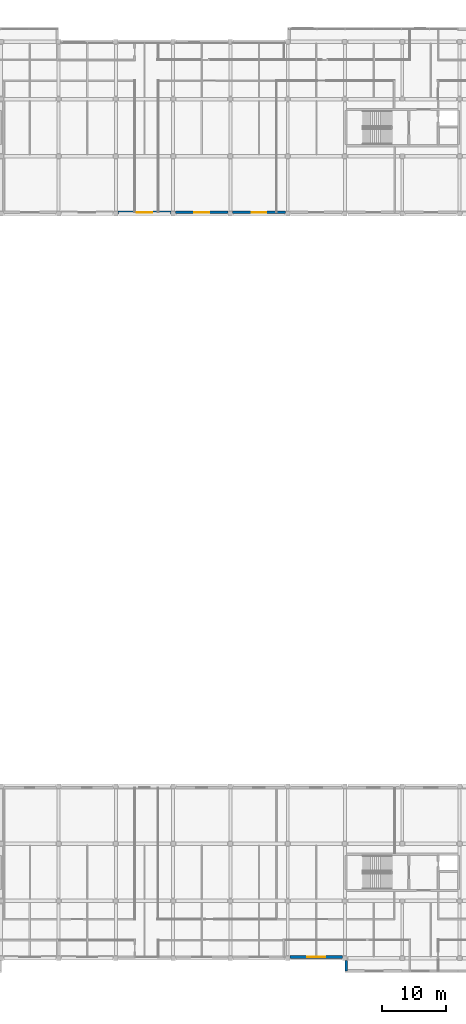
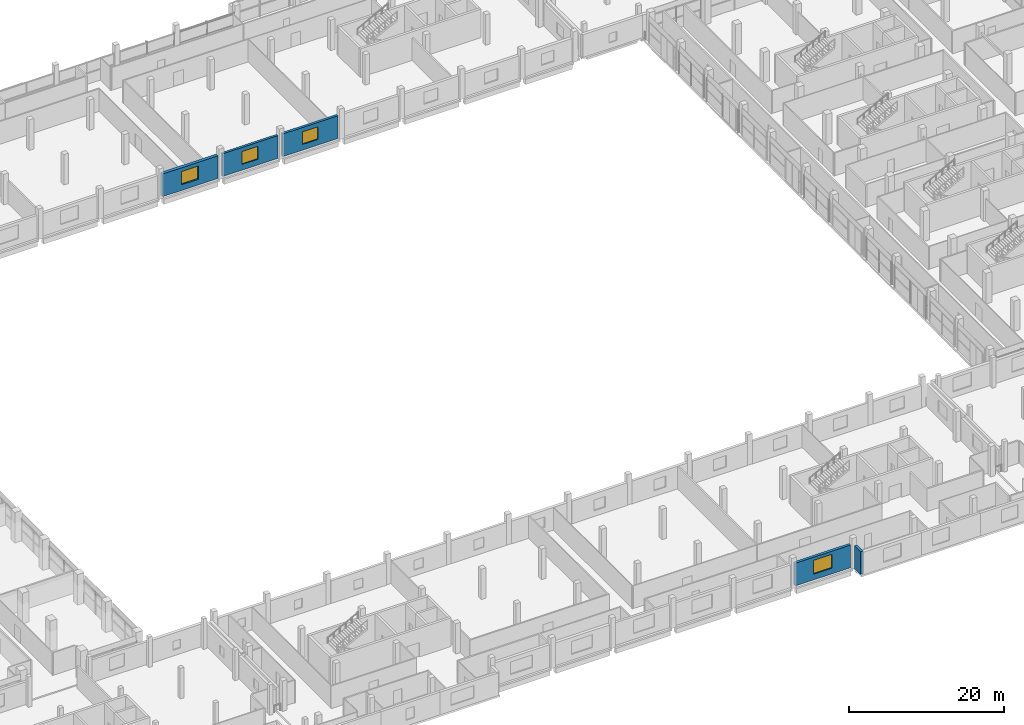
# One storey, part 73 of 111: 5 walls, 4 windows, 4 openings.
"""IFC4 building model written with IfcOpenShell, lengths in metres."""

from ifc_helpers import new_model, si_unit, direction, frame, frame_2d, origin, place, context, subcontext, project, spatial, rectangle, extrude, material, layer, layer_set, type_object, element, fill, save


model = new_model("IFC4")

# Units and contexts
model_context = context("Model", 3, precision=1e-05, world=origin(), true_north=direction((0.0, 1.0)))
body_context = subcontext(model_context, "Body", "Model", "MODEL_VIEW")
ifc_project = project(units=[si_unit("LENGTHUNIT", "METRE"), si_unit("AREAUNIT", "SQUARE_METRE"), si_unit("VOLUMEUNIT", "CUBIC_METRE"), si_unit("PLANEANGLEUNIT", "RADIAN"), si_unit("MASSUNIT", "GRAM", prefix="KILO"), si_unit("THERMODYNAMICTEMPERATUREUNIT", "KELVIN"), si_unit("POWERUNIT", "WATT")], contexts=[model_context])

# Site, building, storey
site_placement = place(None, origin())
site = spatial("IfcSite", under=ifc_project, at=site_placement, CompositionType="ELEMENT")
building_placement = place(site_placement, origin())
building = spatial("IfcBuilding", under=site, at=building_placement, Name="Sindhuravela Promenade Stadium", CompositionType="ELEMENT")
storey_placement = place(building_placement, frame((0.0, 0.0, 9.60009765625)))
storey = spatial("IfcBuildingStorey", under=building, at=storey_placement, Name="L02", CompositionType="ELEMENT", Elevation=9.60009765625)

# Wall, opening, window
ifc_material_1 = material(Name="Terracotta clay brick masonry (15 MPa)", Category="masonry")
ifc_layer_1 = layer(ifc_material_1, 0.340087890625)
ifc_layer_set_1 = layer_set([ifc_layer_1], Name="Terracotta clay brick masonry (15 MPa)")
wall_type_1 = type_object("IfcWallType", Name="EX-WL-BRK340", PredefinedType="SOLIDWALL", material=ifc_layer_set_1)
wall_1_placement = place(storey_placement, frame((116.64501953125, 126.199951171875, 0.0), z_axis=(0.0, 0.0, 1.0), x_axis=(-1.0, 0.0, 0.0)))
wall_1 = element("IfcWall", 1, at=wall_1_placement, inside=storey, type_object=wall_type_1, Name="Exterior masonry wall EW06 NORTH L02", PredefinedType="SOLIDWALL", context=body_context, shape_type="SweptSolid", body=[
    extrude(rectangle(XDim=8.2900390625, YDim=0.340087890625, at=frame_2d((4.14501953125, 0.0))), origin(), (0.0, 0.0, 1.0), 3.579833984375),
])
opening_1_placement = place(wall_1_placement, frame((2.945068359375, 0.0, 0.89990234375)))
opening_1 = element("IfcOpeningElement", 2, at=opening_1_placement, cuts=wall_1, Name="Opening W14", PredefinedType="OPENING", context=body_context, shape_type="SweptSolid", body=[
    extrude(rectangle(XDim=2.39990234375, YDim=2.050048828125, at=frame_2d((1.199951171875, 1.02490234375))), frame((0.0, 0.179931640625, 0.0), z_axis=(0.0, -1.0, 0.0), x_axis=(1.0, 0.0, 0.0)), (0.0, 0.0, 1.0), 0.360107421875),
])
ifc_material_2 = material(Name="Tempered laminated low-E glass", Category="glass")
window_type_1 = type_object("IfcWindowType", Name="WN-FAC-2400x2050", PartitioningType="DOUBLE_PANEL_VERTICAL", PredefinedType="WINDOW", material=ifc_material_2)
window_1_placement = place(opening_1_placement, origin())
window_1 = element("IfcWindow", 3, at=window_1_placement, inside=storey, type_object=window_type_1, Name="Window W14 NORTH L02", OverallHeight=2.050048828125, OverallWidth=2.39990234375, PartitioningType="DOUBLE_PANEL_VERTICAL", PredefinedType="WINDOW", context=body_context, shape_type="SweptSolid", body=[
    extrude(rectangle(XDim=2.39990234375, YDim=2.050048828125, at=frame_2d((1.199951171875, 1.02490234375))), frame((0.0, 0.030029296875, 0.0), z_axis=(0.0, -1.0, 0.0), x_axis=(1.0, 0.0, 0.0)), (0.0, 0.0, 1.0), 0.06005859375),
])
fill(opening_1, window_1)

ifc_layer_2 = layer(ifc_material_1, 0.360107421875)
ifc_layer_set_2 = layer_set([ifc_layer_2], Name="Terracotta clay brick masonry (15 MPa)")
wall_type_2 = type_object("IfcWallType", Name="EX-WL-BRK360", PredefinedType="SOLIDWALL", material=ifc_layer_set_2)
wall_2_placement = place(storey_placement, frame((125.64501953125, 126.199951171875, 0.0), z_axis=(0.0, 0.0, 1.0), x_axis=(-1.0, 0.0, 0.0)))
wall_2 = element("IfcWall", 4, at=wall_2_placement, inside=storey, type_object=wall_type_2, Name="Exterior masonry wall EW05 NORTH L02", PredefinedType="SOLIDWALL", context=body_context, shape_type="SweptSolid", body=[
    extrude(rectangle(XDim=8.2900390625, YDim=0.360107421875, at=frame_2d((4.14501953125, 0.0))), origin(), (0.0, 0.0, 1.0), 3.579833984375),
])
opening_2_placement = place(wall_2_placement, frame((2.9951171875, 0.0, 0.89990234375)))
opening_2 = element("IfcOpeningElement", 5, at=opening_2_placement, cuts=wall_2, Name="Opening W13", PredefinedType="OPENING", context=body_context, shape_type="SweptSolid", body=[
    extrude(rectangle(XDim=2.300048828125, YDim=2.0, at=frame_2d((1.14990234375, 1.0))), frame((0.0, 0.18994140625, 0.0), z_axis=(0.0, -1.0, 0.0), x_axis=(1.0, 0.0, 0.0)), (0.0, 0.0, 1.0), 0.380126953125),
])
window_type_2 = type_object("IfcWindowType", Name="WN-FAC-2300x2000", PartitioningType="DOUBLE_PANEL_VERTICAL", PredefinedType="WINDOW", material=ifc_material_2)
window_2_placement = place(opening_2_placement, origin())
window_2 = element("IfcWindow", 6, at=window_2_placement, inside=storey, type_object=window_type_2, Name="Window W13 NORTH L02", OverallHeight=2.0, OverallWidth=2.300048828125, PartitioningType="DOUBLE_PANEL_VERTICAL", PredefinedType="WINDOW", context=body_context, shape_type="SweptSolid", body=[
    extrude(rectangle(XDim=2.300048828125, YDim=2.0, at=frame_2d((1.14990234375, 1.0))), frame((0.0, 0.030029296875, 0.0), z_axis=(0.0, -1.0, 0.0), x_axis=(1.0, 0.0, 0.0)), (0.0, 0.0, 1.0), 0.06005859375),
])
fill(opening_2, window_2)

ifc_layer_3 = layer(ifc_material_1, 0.39990234375)
ifc_layer_set_3 = layer_set([ifc_layer_3], Name="Terracotta clay brick masonry (15 MPa)")
wall_type_3 = type_object("IfcWallType", Name="EX-WL-BRK400", PredefinedType="SOLIDWALL", material=ifc_layer_set_3)
wall_3_placement = place(storey_placement, frame((134.64501953125, 9.199951171875, 0.0), z_axis=(0.0, 0.0, 1.0), x_axis=(-1.0, 0.0, 0.0)))
wall_3 = element("IfcWall", 7, at=wall_3_placement, inside=storey, type_object=wall_type_3, Name="Exterior masonry wall EW03 SOUTH L02", PredefinedType="SOLIDWALL", context=body_context, shape_type="SweptSolid", body=[
    extrude(rectangle(XDim=8.2900390625, YDim=0.39990234375, at=frame_2d((4.14501953125, 0.0))), origin(), (0.0, 0.0, 1.0), 3.579833984375),
])
opening_3_placement = place(wall_3_placement, frame((2.7451171875, 0.0, 0.89990234375)))
opening_3 = element("IfcOpeningElement", 8, at=opening_3_placement, cuts=wall_3, Name="Opening W18", PredefinedType="OPENING", context=body_context, shape_type="SweptSolid", body=[
    extrude(rectangle(XDim=2.800048828125, YDim=2.199951171875, at=frame_2d((1.39990234375, 1.10009765625))), frame((0.0, 0.2099609375, 0.0), z_axis=(0.0, -1.0, 0.0), x_axis=(1.0, 0.0, 0.0)), (0.0, 0.0, 1.0), 0.419921875),
])
window_type_3 = type_object("IfcWindowType", Name="WN-FAC-2800x2200", PartitioningType="DOUBLE_PANEL_VERTICAL", PredefinedType="WINDOW", material=ifc_material_2)
window_3_placement = place(opening_3_placement, origin())
window_3 = element("IfcWindow", 9, at=window_3_placement, inside=storey, type_object=window_type_3, Name="Window W18 SOUTH L02", OverallHeight=2.199951171875, OverallWidth=2.800048828125, PartitioningType="DOUBLE_PANEL_VERTICAL", PredefinedType="WINDOW", context=body_context, shape_type="SweptSolid", body=[
    extrude(rectangle(XDim=2.800048828125, YDim=2.199951171875, at=frame_2d((1.39990234375, 1.10009765625))), frame((0.0, 0.030029296875, 0.0), z_axis=(0.0, -1.0, 0.0), x_axis=(1.0, 0.0, 0.0)), (0.0, 0.0, 1.0), 0.06005859375),
])
fill(opening_3, window_3)

# Wall
ifc_layer_4 = layer(ifc_material_1, 0.419921875)
ifc_layer_set_4 = layer_set([ifc_layer_4], Name="Terracotta clay brick masonry (15 MPa)")
wall_type_4 = type_object("IfcWallType", Name="EX-WL-BRK420", PredefinedType="SOLIDWALL", material=ifc_layer_set_4)
wall_4_placement = place(storey_placement, frame((135.199951171875, 7.0, 0.0), z_axis=(0.0, 0.0, 1.0), x_axis=(0.0, 1.0, 0.0)))
element("IfcWall", 10, at=wall_4_placement, inside=storey, type_object=wall_type_4, Name="Exterior masonry wall EW02 SOUTH L02", PredefinedType="SOLIDWALL", context=body_context, shape_type="SweptSolid", body=[
    extrude(rectangle(XDim=1.64501953125, YDim=0.419921875, at=frame_2d((0.822509765625, 0.0))), origin(), (0.0, 0.0, 1.0), 3.579833984375),
])

# Wall, opening, window
ifc_layer_5 = layer(ifc_material_1, 0.4599609375)
ifc_layer_set_5 = layer_set([ifc_layer_5], Name="Terracotta clay brick masonry (15 MPa)")
wall_type_5 = type_object("IfcWallType", Name="EX-WL-BRK460", PredefinedType="SOLIDWALL", material=ifc_layer_set_5)
wall_5_placement = place(storey_placement, frame((107.64501953125, 126.199951171875, 0.0), z_axis=(0.0, 0.0, 1.0), x_axis=(-1.0, 0.0, 0.0)))
wall_5 = element("IfcWall", 11, at=wall_5_placement, inside=storey, type_object=wall_type_5, Name="Exterior masonry wall EW01 NORTH L02", PredefinedType="SOLIDWALL", context=body_context, shape_type="SweptSolid", body=[
    extrude(rectangle(XDim=8.2900390625, YDim=0.4599609375, at=frame_2d((4.14501953125, 0.0))), origin(), (0.0, 0.0, 1.0), 3.579833984375),
])
opening_4_placement = place(wall_5_placement, frame((2.89501953125, 0.0, 0.89990234375)))
opening_4 = element("IfcOpeningElement", 12, at=opening_4_placement, cuts=wall_5, Name="Opening W15", PredefinedType="OPENING", context=body_context, shape_type="SweptSolid", body=[
    extrude(rectangle(XDim=2.5, YDim=2.10009765625, at=frame_2d((1.25, 1.050048828125))), frame((0.0, 0.239990234375, 0.0), z_axis=(0.0, -1.0, 0.0), x_axis=(1.0, 0.0, 0.0)), (0.0, 0.0, 1.0), 0.47998046875),
])
window_type_4 = type_object("IfcWindowType", Name="WN-FAC-2500x2100", PartitioningType="DOUBLE_PANEL_VERTICAL", PredefinedType="WINDOW", material=ifc_material_2)
window_4_placement = place(opening_4_placement, origin())
window_4 = element("IfcWindow", 13, at=window_4_placement, inside=storey, type_object=window_type_4, Name="Window W15 NORTH L02", OverallHeight=2.10009765625, OverallWidth=2.5, PartitioningType="DOUBLE_PANEL_VERTICAL", PredefinedType="WINDOW", context=body_context, shape_type="SweptSolid", body=[
    extrude(rectangle(XDim=2.5, YDim=2.10009765625, at=frame_2d((1.25, 1.050048828125))), frame((0.0, 0.030029296875, 0.0), z_axis=(0.0, -1.0, 0.0), x_axis=(1.0, 0.0, 0.0)), (0.0, 0.0, 1.0), 0.06005859375),
])
fill(opening_4, window_4)

save(model, "model.ifc")
